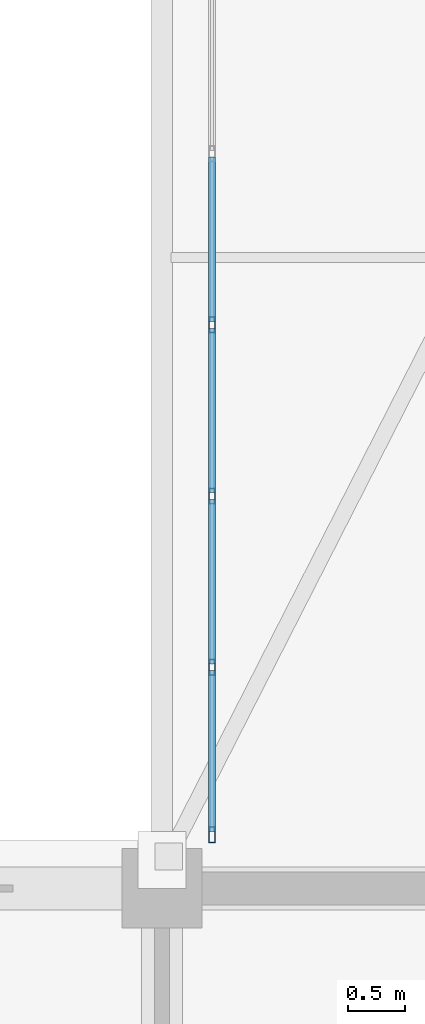
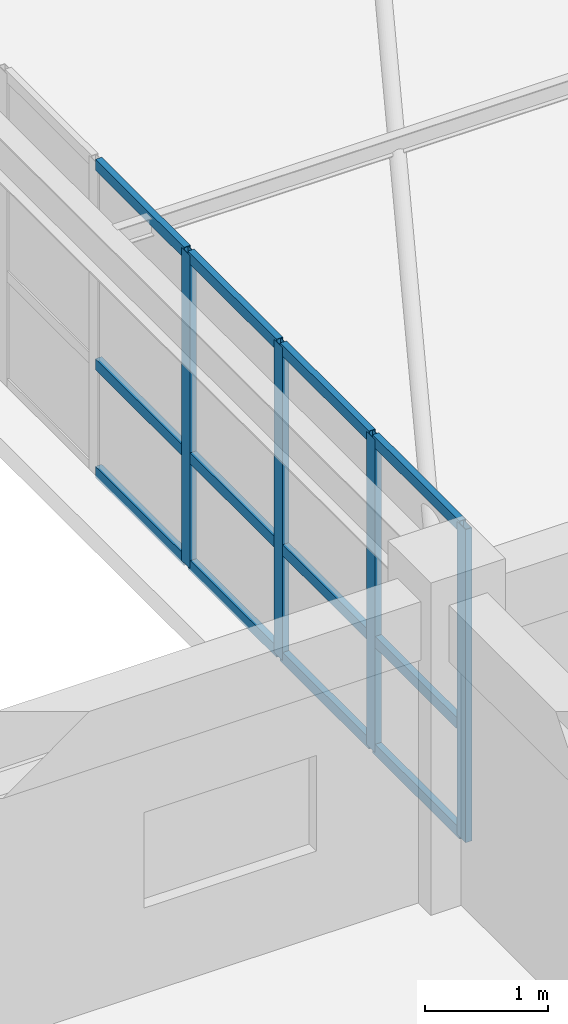
# One storey, part 26 of 148: 16 members, 1 element without a shape of its own.
"""IFC4 building model written with IfcOpenShell, lengths in metres."""

from ifc_helpers import new_model, si_unit, direction, frame, origin, origin_2d, place, context, subcontext, project, spatial, hollow_rectangle, extrude, material, layer, layer_set, material_profile, profile_set, type_object, element, aggregate, save


model = new_model("IFC4")

# Units and contexts
model_context = context("Model", 3, precision=1e-05, world=origin(), true_north=direction((0.0, 1.0)))
body_context = subcontext(model_context, "Body", "Model", "MODEL_VIEW")
ifc_project = project(units=[si_unit("LENGTHUNIT", "METRE"), si_unit("AREAUNIT", "SQUARE_METRE"), si_unit("VOLUMEUNIT", "CUBIC_METRE"), si_unit("PLANEANGLEUNIT", "RADIAN"), si_unit("MASSUNIT", "GRAM", prefix="KILO")], contexts=[model_context])

# Site, building, storey
site_placement = place(None, origin())
site = spatial("IfcSite", under=ifc_project, at=site_placement, CompositionType="ELEMENT")
building_placement = place(site_placement, origin())
building = spatial("IfcBuilding", under=site, at=building_placement, Name="Trelvath General Hospital", CompositionType="ELEMENT")
storey_placement = place(building_placement, frame((0.0, 0.0, 12.89990234375)))
storey = spatial("IfcBuildingStorey", under=building, at=storey_placement, Name="L03", CompositionType="ELEMENT", Elevation=12.89990234375)

# Curtain wall, members
ifc_material_1 = material(Name="Anodised aluminium and low-E glass", Category="aluminium")
ifc_layer = layer(ifc_material_1, 0.139892578125)
ifc_layer_set = layer_set([ifc_layer], Name="Anodised aluminium and low-E glass")
curtain_wall_type = type_object("IfcCurtainWallType", Name="CW Bridge 752 311", PredefinedType="USERDEFINED", material=ifc_layer_set)
curtain_wall_placement = place(storey_placement, origin())
curtain_wall = element("IfcCurtainWall", 1, at=curtain_wall_placement, inside=storey, type_object=curtain_wall_type, Name="Glazed Bridge Curtain Wall BRG-S-C W L03", ObjectType="Unitised Glazed Curtain Wall", PredefinedType="USERDEFINED")
ifc_material_2 = material(Name="Anodised aluminium", Category="aluminium")
ifc_material_profile_1 = material_profile(ifc_material_2, hollow_rectangle(XDim=0.06005859375, YDim=0.139892578125, WallThickness=0.00390625, at=origin_2d()), Name="RHS60x140x4")
ifc_profile_set_1 = profile_set([ifc_material_profile_1], Name="Anodised aluminium")
member_type_1 = type_object("IfcMemberType", Name="CurtainMullion 60x140", PredefinedType="MULLION", material=ifc_profile_set_1)
member_1_placement = place(storey_placement, frame((76.0400390625, 25.669921875, 0.0), z_axis=(0.0, 0.0, 1.0), x_axis=(-1.0, 0.0, 0.0)))
member_1 = element("IfcMember", 2, at=member_1_placement, type_object=member_type_1, Name="CW-264 mullion 1", PredefinedType="MULLION", context=body_context, shape_type="SweptSolid", body=[
    extrude(hollow_rectangle(XDim=0.06005859375, YDim=0.139892578125, WallThickness=0.00390625, at=origin_2d()), origin(), (0.0, 0.0, 1.0), 3.110107421875),
])
member_2_placement = place(storey_placement, frame((76.0400390625, 27.14404296875, 0.0), z_axis=(0.0, 0.0, 1.0), x_axis=(-1.0, 0.0, 0.0)))
member_2 = element("IfcMember", 3, at=member_2_placement, type_object=member_type_1, Name="CW-264 mullion 2", PredefinedType="MULLION", context=body_context, shape_type="SweptSolid", body=[
    extrude(hollow_rectangle(XDim=0.06005859375, YDim=0.139892578125, WallThickness=0.00390625, at=origin_2d()), origin(), (0.0, 0.0, 1.0), 3.110107421875),
])
member_3_placement = place(storey_placement, frame((76.0400390625, 28.64794921875, 0.0), z_axis=(0.0, 0.0, 1.0), x_axis=(-1.0, 0.0, 0.0)))
member_3 = element("IfcMember", 4, at=member_3_placement, type_object=member_type_1, Name="CW-264 mullion 3", PredefinedType="MULLION", context=body_context, shape_type="SweptSolid", body=[
    extrude(hollow_rectangle(XDim=0.06005859375, YDim=0.139892578125, WallThickness=0.00390625, at=origin_2d()), origin(), (0.0, 0.0, 1.0), 3.110107421875),
])
member_4_placement = place(storey_placement, frame((76.0400390625, 30.152099609375, 0.0), z_axis=(0.0, 0.0, 1.0), x_axis=(-1.0, 0.0, 0.0)))
member_4 = element("IfcMember", 5, at=member_4_placement, type_object=member_type_1, Name="CW-264 mullion 4", PredefinedType="MULLION", context=body_context, shape_type="SweptSolid", body=[
    extrude(hollow_rectangle(XDim=0.06005859375, YDim=0.139892578125, WallThickness=0.00390625, at=origin_2d()), origin(), (0.0, 0.0, 1.0), 3.110107421875),
])
ifc_material_3 = material(Name="Anodised aluminium", Category="aluminium")
ifc_material_profile_2 = material_profile(ifc_material_3, hollow_rectangle(XDim=0.06005859375, YDim=0.110107421875, WallThickness=0.00390625, at=origin_2d()), Name="RHS60x110x4")
ifc_profile_set_2 = profile_set([ifc_material_profile_2], Name="Anodised aluminium")
member_type_2 = type_object("IfcMemberType", Name="CurtainTransom 60x110", PredefinedType="USERDEFINED", material=ifc_profile_set_2)
member_5_placement = place(storey_placement, frame((76.0400390625, 25.699951171875, 0.030029296875), z_axis=(0.0, 1.0, 0.0), x_axis=(-1.0, 0.0, 0.0)))
member_5 = element("IfcMember", 6, at=member_5_placement, type_object=member_type_2, Name="CW-264 transom 1.1", ObjectType="TRANSOM", PredefinedType="USERDEFINED", context=body_context, shape_type="SweptSolid", body=[
    extrude(hollow_rectangle(XDim=0.06005859375, YDim=0.110107421875, WallThickness=0.00390625, at=origin_2d()), origin(), (0.0, 0.0, 1.0), 1.4140625),
])
member_6_placement = place(storey_placement, frame((76.0400390625, 25.699951171875, 1.10009765625), z_axis=(0.0, 1.0, 0.0), x_axis=(-1.0, 0.0, 0.0)))
member_6 = element("IfcMember", 7, at=member_6_placement, type_object=member_type_2, Name="CW-264 transom 1.2", ObjectType="TRANSOM", PredefinedType="USERDEFINED", context=body_context, shape_type="SweptSolid", body=[
    extrude(hollow_rectangle(XDim=0.06005859375, YDim=0.110107421875, WallThickness=0.00390625, at=origin_2d()), origin(), (0.0, 0.0, 1.0), 1.4140625),
])
member_7_placement = place(storey_placement, frame((76.0400390625, 25.699951171875, 3.080078125), z_axis=(0.0, 1.0, 0.0), x_axis=(-1.0, 0.0, 0.0)))
member_7 = element("IfcMember", 8, at=member_7_placement, type_object=member_type_2, Name="CW-264 transom 1.3", ObjectType="TRANSOM", PredefinedType="USERDEFINED", context=body_context, shape_type="SweptSolid", body=[
    extrude(hollow_rectangle(XDim=0.06005859375, YDim=0.110107421875, WallThickness=0.00390625, at=origin_2d()), origin(), (0.0, 0.0, 1.0), 1.4140625),
])
member_8_placement = place(storey_placement, frame((76.0400390625, 27.174072265625, 0.030029296875), z_axis=(0.0, 1.0, 0.0), x_axis=(-1.0, 0.0, 0.0)))
member_8 = element("IfcMember", 9, at=member_8_placement, type_object=member_type_2, Name="CW-264 transom 2.1", ObjectType="TRANSOM", PredefinedType="USERDEFINED", context=body_context, shape_type="SweptSolid", body=[
    extrude(hollow_rectangle(XDim=0.06005859375, YDim=0.110107421875, WallThickness=0.00390625, at=origin_2d()), origin(), (0.0, 0.0, 1.0), 1.44384765625),
])
member_9_placement = place(storey_placement, frame((76.0400390625, 27.174072265625, 1.10009765625), z_axis=(0.0, 1.0, 0.0), x_axis=(-1.0, 0.0, 0.0)))
member_9 = element("IfcMember", 10, at=member_9_placement, type_object=member_type_2, Name="CW-264 transom 2.2", ObjectType="TRANSOM", PredefinedType="USERDEFINED", context=body_context, shape_type="SweptSolid", body=[
    extrude(hollow_rectangle(XDim=0.06005859375, YDim=0.110107421875, WallThickness=0.00390625, at=origin_2d()), origin(), (0.0, 0.0, 1.0), 1.44384765625),
])
member_10_placement = place(storey_placement, frame((76.0400390625, 27.174072265625, 3.080078125), z_axis=(0.0, 1.0, 0.0), x_axis=(-1.0, 0.0, 0.0)))
member_10 = element("IfcMember", 11, at=member_10_placement, type_object=member_type_2, Name="CW-264 transom 2.3", ObjectType="TRANSOM", PredefinedType="USERDEFINED", context=body_context, shape_type="SweptSolid", body=[
    extrude(hollow_rectangle(XDim=0.06005859375, YDim=0.110107421875, WallThickness=0.00390625, at=origin_2d()), origin(), (0.0, 0.0, 1.0), 1.44384765625),
])
member_11_placement = place(storey_placement, frame((76.0400390625, 28.677978515625, 0.030029296875), z_axis=(0.0, 1.0, 0.0), x_axis=(-1.0, 0.0, 0.0)))
member_11 = element("IfcMember", 12, at=member_11_placement, type_object=member_type_2, Name="CW-264 transom 3.1", ObjectType="TRANSOM", PredefinedType="USERDEFINED", context=body_context, shape_type="SweptSolid", body=[
    extrude(hollow_rectangle(XDim=0.06005859375, YDim=0.110107421875, WallThickness=0.00390625, at=origin_2d()), origin(), (0.0, 0.0, 1.0), 1.444091796875),
])
member_12_placement = place(storey_placement, frame((76.0400390625, 28.677978515625, 1.10009765625), z_axis=(0.0, 1.0, 0.0), x_axis=(-1.0, 0.0, 0.0)))
member_12 = element("IfcMember", 13, at=member_12_placement, type_object=member_type_2, Name="CW-264 transom 3.2", ObjectType="TRANSOM", PredefinedType="USERDEFINED", context=body_context, shape_type="SweptSolid", body=[
    extrude(hollow_rectangle(XDim=0.06005859375, YDim=0.110107421875, WallThickness=0.00390625, at=origin_2d()), origin(), (0.0, 0.0, 1.0), 1.444091796875),
])
member_13_placement = place(storey_placement, frame((76.0400390625, 28.677978515625, 3.080078125), z_axis=(0.0, 1.0, 0.0), x_axis=(-1.0, 0.0, 0.0)))
member_13 = element("IfcMember", 14, at=member_13_placement, type_object=member_type_2, Name="CW-264 transom 3.3", ObjectType="TRANSOM", PredefinedType="USERDEFINED", context=body_context, shape_type="SweptSolid", body=[
    extrude(hollow_rectangle(XDim=0.06005859375, YDim=0.110107421875, WallThickness=0.00390625, at=origin_2d()), origin(), (0.0, 0.0, 1.0), 1.444091796875),
])
member_14_placement = place(storey_placement, frame((76.0400390625, 30.181884765625, 0.030029296875), z_axis=(0.0, 1.0, 0.0), x_axis=(-1.0, 0.0, 0.0)))
member_14 = element("IfcMember", 15, at=member_14_placement, type_object=member_type_2, Name="CW-264 transom 4.1", ObjectType="TRANSOM", PredefinedType="USERDEFINED", context=body_context, shape_type="SweptSolid", body=[
    extrude(hollow_rectangle(XDim=0.06005859375, YDim=0.110107421875, WallThickness=0.00390625, at=origin_2d()), origin(), (0.0, 0.0, 1.0), 1.444091796875),
])
member_15_placement = place(storey_placement, frame((76.0400390625, 30.181884765625, 1.10009765625), z_axis=(0.0, 1.0, 0.0), x_axis=(-1.0, 0.0, 0.0)))
member_15 = element("IfcMember", 16, at=member_15_placement, type_object=member_type_2, Name="CW-264 transom 4.2", ObjectType="TRANSOM", PredefinedType="USERDEFINED", context=body_context, shape_type="SweptSolid", body=[
    extrude(hollow_rectangle(XDim=0.06005859375, YDim=0.110107421875, WallThickness=0.00390625, at=origin_2d()), origin(), (0.0, 0.0, 1.0), 1.444091796875),
])
member_16_placement = place(storey_placement, frame((76.0400390625, 30.181884765625, 3.080078125), z_axis=(0.0, 1.0, 0.0), x_axis=(-1.0, 0.0, 0.0)))
member_16 = element("IfcMember", 17, at=member_16_placement, type_object=member_type_2, Name="CW-264 transom 4.3", ObjectType="TRANSOM", PredefinedType="USERDEFINED", context=body_context, shape_type="SweptSolid", body=[
    extrude(hollow_rectangle(XDim=0.06005859375, YDim=0.110107421875, WallThickness=0.00390625, at=origin_2d()), origin(), (0.0, 0.0, 1.0), 1.444091796875),
])
aggregate(curtain_wall, [member_1, member_2, member_3, member_4, member_5, member_6, member_7, member_8, member_9, member_10, member_11, member_12, member_13, member_14, member_15, member_16])

save(model, "model.ifc")
